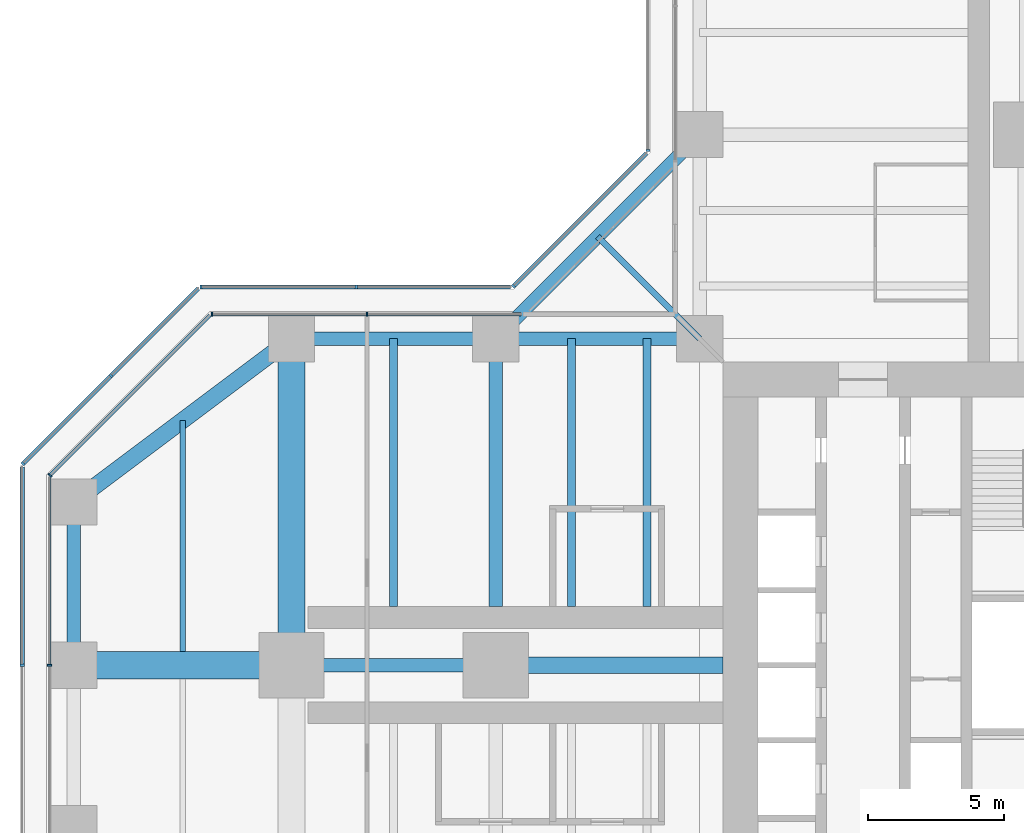
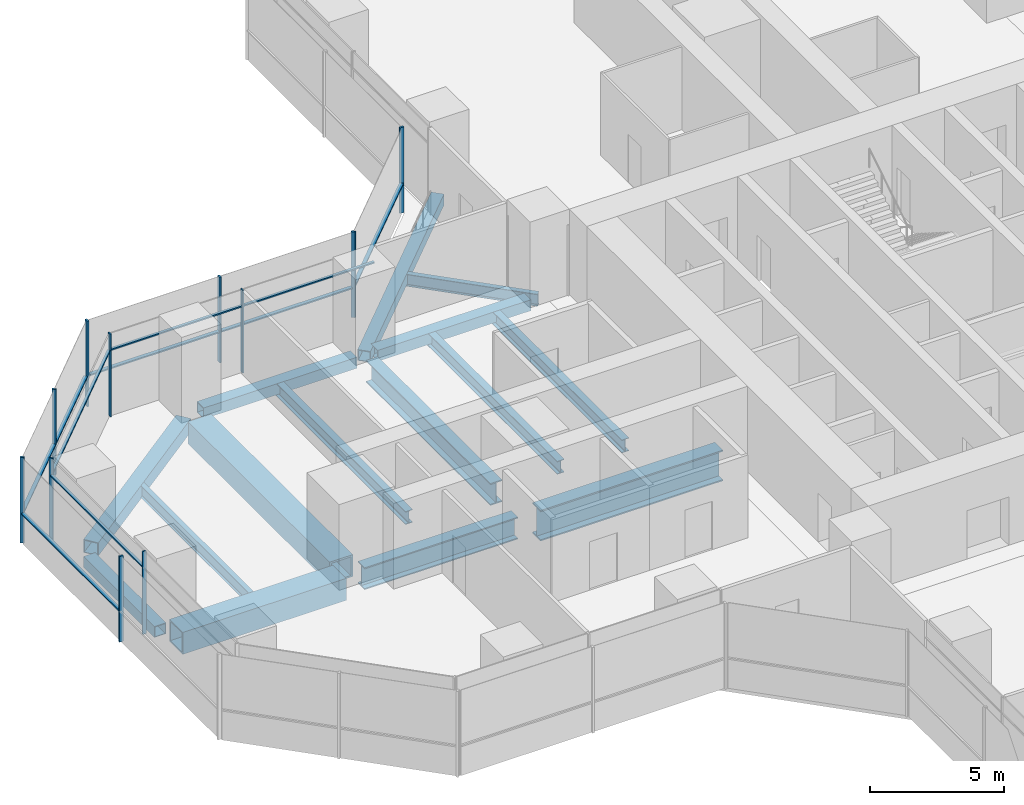
# One storey, part 8 of 22: 21 members, 15 beams, 8 elements without a shape of their own.
"""IFC4 building model written with IfcOpenShell, lengths in metres."""

from ifc_helpers import new_model, si_unit, direction, frame, origin, origin_2d, place, context, subcontext, project, spatial, rectangle, hollow_rectangle, i_section, extrude, material, material_profile, profile_set, type_object, element, aggregate, save


model = new_model("IFC4")

# Units and contexts
model_context = context("Model", 3, precision=1e-05, world=origin(), true_north=direction((0.0, 1.0)))
body_context = subcontext(model_context, "Body", "Model", "MODEL_VIEW")
ifc_project = project(units=[si_unit("LENGTHUNIT", "METRE"), si_unit("AREAUNIT", "SQUARE_METRE"), si_unit("VOLUMEUNIT", "CUBIC_METRE"), si_unit("PLANEANGLEUNIT", "RADIAN"), si_unit("MASSUNIT", "GRAM", prefix="KILO")], contexts=[model_context])

# Site, building, storey
site_placement = place(None, origin())
site = spatial("IfcSite", under=ifc_project, at=site_placement, CompositionType="ELEMENT")
building_placement = place(site_placement, origin())
building = spatial("IfcBuilding", under=site, at=building_placement, Name="Mizan Broadcast Tower", CompositionType="ELEMENT")
storey_placement = place(building_placement, frame((0.0, 0.0, 55.199951171875)))
storey = spatial("IfcBuildingStorey", under=building, at=storey_placement, Name="L10", CompositionType="ELEMENT", Elevation=55.199951171875)

# Beams
ifc_material_1 = material(Name="Steel S355", Category="steel")
ifc_material_profile_1 = material_profile(ifc_material_1, hollow_rectangle(XDim=0.5, YDim=0.5, WallThickness=0.030029296875, at=origin_2d()), Name="BOX 500x500x30")
ifc_profile_set_1 = profile_set([ifc_material_profile_1], Name="Steel S355")
beam_type_1 = type_object("IfcBeamType", Name="EDGE BEAM BOX 500x500x30", PredefinedType="SPANDREL", material=ifc_profile_set_1)
for number, where, z_axis, x_axis, name in (
    (1, (-12.449951171875, 12.0, -0.3798828125), (-1.0, 0.0, 0.0), (0.0, -1.0, 0.0), "Edge beam BOX 500x500x30 L10 west arm"),
    (2, (-19.949951171875, 12.0, -0.3798828125), (-1.0, 0.0, 0.0), (0.0, -1.0, 0.0), "Edge beam BOX 500x500x30 L10 west arm"),
):
    element("IfcBeam", number, at=place(storey_placement, frame(where, z_axis=z_axis, x_axis=x_axis)), inside=storey, type_object=beam_type_1, Name=name, PredefinedType="SPANDREL", context=body_context, shape_type="SweptSolid", body=[
        extrude(hollow_rectangle(XDim=0.5, YDim=0.5, WallThickness=0.030029296875, at=origin_2d()), origin(), (0.0, 0.0, 1.0), 6.60009765625),
    ])
beam_1_placement = place(storey_placement, frame((-35.0, 5.639892578125, -0.3798828125), z_axis=(0.0, -1.0, 0.0), x_axis=(1.0, 0.0, 0.0)))
element("IfcBeam", 3, at=beam_1_placement, inside=storey, type_object=beam_type_1, Name="Edge beam BOX 500x500x30 L10 west arm", PredefinedType="SPANDREL", context=body_context, shape_type="SweptSolid", body=[
    extrude(hollow_rectangle(XDim=0.5, YDim=0.5, WallThickness=0.030029296875, at=origin_2d()), origin(), (0.0, 0.0, 1.0), 5.27978515625),
])
beam_2_placement = place(storey_placement, frame((-12.0, 19.5, -0.3798828125), z_axis=(-0.707106781187, -0.707106781187, 0.0), x_axis=(0.707106781187, -0.707106781187, 0.0)))
element("IfcBeam", 4, at=beam_2_placement, inside=storey, type_object=beam_type_1, Name="Winter garden edge beam L10 N", PredefinedType="SPANDREL", context=body_context, shape_type="SweptSolid", body=[
    extrude(hollow_rectangle(XDim=0.5, YDim=0.5, WallThickness=0.030029296875, at=origin_2d()), origin(), (0.0, 0.0, 1.0), 10.606689453125),
])
ifc_material_2 = material(Name="Steel S355", Category="steel")
ifc_material_profile_2 = material_profile(ifc_material_2, hollow_rectangle(XDim=0.60009765625, YDim=0.60009765625, WallThickness=0.030029296875, at=origin_2d()), Name="BOX 600x600x30")
ifc_profile_set_2 = profile_set([ifc_material_profile_2], Name="Steel S355")
beam_type_2 = type_object("IfcBeamType", Name="EDGE BEAM BOX 600x600x30", PredefinedType="SPANDREL", material=ifc_profile_set_2)
beam_3_placement = place(storey_placement, frame((-27.47998046875, 11.639892578125, -0.429931640625), z_axis=(-0.800013316712, -0.599982243973, 0.0), x_axis=(0.599982243973, -0.800013316712, 0.0)))
element("IfcBeam", 5, at=beam_3_placement, inside=storey, type_object=beam_type_2, Name="Edge beam BOX 600x600x30 L10 west arm", PredefinedType="SPANDREL", context=body_context, shape_type="SweptSolid", body=[
    extrude(hollow_rectangle(XDim=0.60009765625, YDim=0.60009765625, WallThickness=0.030029296875, at=origin_2d()), origin(), (0.0, 0.0, 1.0), 8.7998046875),
])
ifc_material_3 = material(Name="Steel S460", Category="steel")
ifc_material_profile_3 = material_profile(ifc_material_3, hollow_rectangle(XDim=1.0, YDim=1.0, WallThickness=0.06005859375, at=origin_2d()), Name="BOX 1000x1000x60")
ifc_profile_set_3 = profile_set([ifc_material_profile_3], Name="Steel S460")
beam_type_3 = type_object("IfcBeamType", Name="GIRDER BOX 1000x1000x60", PredefinedType="BEAM", material=ifc_profile_set_3)
beam_4_placement = place(storey_placement, frame((-27.47998046875, 0.0, -0.6298828125), z_axis=(-1.0, 0.0, 0.0), x_axis=(0.0, -1.0, 0.0)))
element("IfcBeam", 6, at=beam_4_placement, inside=storey, type_object=beam_type_3, Name="Girder BOX 1000x1000x60 L10 west arm", PredefinedType="BEAM", context=body_context, shape_type="SweptSolid", body=[
    extrude(hollow_rectangle(XDim=1.0, YDim=1.0, WallThickness=0.06005859375, at=origin_2d()), origin(), (0.0, 0.0, 1.0), 7.0400390625),
])
ifc_material_4 = material(Name="Steel S460", Category="steel")
ifc_material_profile_4 = material_profile(ifc_material_4, hollow_rectangle(XDim=1.0, YDim=1.0, WallThickness=0.080078125, at=origin_2d()), Name="BOX 1000x1000x80")
ifc_profile_set_4 = profile_set([ifc_material_profile_4], Name="Steel S460")
beam_type_4 = type_object("IfcBeamType", Name="GIRDER BOX 1000x1000x80", PredefinedType="BEAM", material=ifc_profile_set_4)
beam_5_placement = place(storey_placement, frame((-27.0, 11.280029296875, -0.6298828125), z_axis=(0.0, -1.0, 0.0), x_axis=(1.0, 0.0, 0.0)))
element("IfcBeam", 7, at=beam_5_placement, inside=storey, type_object=beam_type_4, Name="Girder BOX 1000x1000x80 L10 west arm", PredefinedType="BEAM", context=body_context, shape_type="SweptSolid", body=[
    extrude(hollow_rectangle(XDim=1.0, YDim=1.0, WallThickness=0.080078125, at=origin_2d()), origin(), (0.0, 0.0, 1.0), 10.56005859375),
])
ifc_material_5 = material(Name="Steel S460", Category="steel")
ifc_material_profile_5 = material_profile(ifc_material_5, i_section(OverallWidth=0.5, OverallDepth=1.0, WebThickness=0.02490234375, FlangeThickness=0.050048828125, at=origin_2d()), Name="WPG 1000x500")
ifc_profile_set_5 = profile_set([ifc_material_profile_5], Name="Steel S460")
beam_type_5 = type_object("IfcBeamType", Name="GIRDER WPG 1000x500", PredefinedType="BEAM", material=ifc_profile_set_5)
beam_6_placement = place(storey_placement, frame((-19.949951171875, 0.0, -0.6298828125), z_axis=(-1.0, 0.0, 0.0), x_axis=(0.0, -1.0, 0.0)))
element("IfcBeam", 8, at=beam_6_placement, inside=storey, type_object=beam_type_5, Name="Girder WPG 1000x500 L10 west arm", PredefinedType="BEAM", context=body_context, shape_type="SweptSolid", body=[
    extrude(i_section(OverallWidth=0.5, OverallDepth=1.0, WebThickness=0.02490234375, FlangeThickness=0.050048828125, at=origin_2d()), origin(), (0.0, 0.0, 1.0), 6.60009765625),
])
beam_7_placement = place(storey_placement, frame((-19.5, 11.408935546875, -0.6298828125), z_axis=(0.0, -1.0, 0.0), x_axis=(1.0, 0.0, 0.0)))
element("IfcBeam", 9, at=beam_7_placement, inside=storey, type_object=beam_type_5, Name="Girder WPG 1000x500 L10 west arm", PredefinedType="BEAM", context=body_context, shape_type="SweptSolid", body=[
    extrude(i_section(OverallWidth=0.5, OverallDepth=1.0, WebThickness=0.02490234375, FlangeThickness=0.050048828125, at=origin_2d()), origin(), (0.0, 0.0, 1.0), 9.259033203125),
])
ifc_material_6 = material(Name="Steel S460", Category="steel")
ifc_material_profile_6 = material_profile(ifc_material_6, i_section(OverallWidth=0.60009765625, OverallDepth=1.39990234375, WebThickness=0.02490234375, FlangeThickness=0.06005859375, at=origin_2d()), Name="WPG 1400x600")
ifc_profile_set_6 = profile_set([ifc_material_profile_6], Name="Steel S460")
beam_type_6 = type_object("IfcBeamType", Name="GIRDER WPG 1400x600", PredefinedType="BEAM", material=ifc_profile_set_6)
beam_8_placement = place(storey_placement, frame((-11.14990234375, 0.0, -0.829833984375), z_axis=(-1.0, 0.0, 0.0), x_axis=(0.0, -1.0, 0.0)))
element("IfcBeam", 10, at=beam_8_placement, inside=storey, type_object=beam_type_6, Name="Girder WPG 1400x600 L10 west arm", PredefinedType="BEAM", context=body_context, shape_type="SweptSolid", body=[
    extrude(i_section(OverallWidth=0.60009765625, OverallDepth=1.39990234375, WebThickness=0.02490234375, FlangeThickness=0.06005859375, at=origin_2d()), origin(), (0.0, 0.0, 1.0), 7.84912109375),
])

# Curtain wall, members
ifc_material_7 = material(Name="Aluminium framed glazing", Category="aluminium")
curtain_wall_type_1 = type_object("IfcCurtainWallType", Name="INNER SKIN LOW ZONE", PredefinedType="USERDEFINED", material=ifc_material_7)
curtain_wall_1_placement = place(storey_placement, origin())
curtain_wall_1 = element("IfcCurtainWall", 11, at=curtain_wall_1_placement, inside=storey, type_object=curtain_wall_type_1, Name="Inner skin low zone L10 W side", ObjectType="INNER SKIN LOW ZONE", PredefinedType="USERDEFINED")
ifc_material_8 = material(Name="Aluminium, pale anodised", Category="aluminium")
ifc_material_profile_7 = material_profile(ifc_material_8, rectangle(XDim=0.159912109375, YDim=0.06005859375, at=origin_2d()), Name="MULLION 160x60")
ifc_profile_set_7 = profile_set([ifc_material_profile_7], Name="Aluminium, pale anodised")
member_type_1 = type_object("IfcMemberType", Name="INNER SKIN MULLION 60x160", PredefinedType="MULLION", material=ifc_profile_set_7)
member_1_placement = place(storey_placement, frame((-24.229248046875, 12.89990234375, 0.0), z_axis=(0.0, 0.0, 1.0), x_axis=(0.0, -1.0, 0.0)))
member_1 = element("IfcMember", 12, at=member_1_placement, type_object=member_type_1, Name="Inner skin low zone L10 W side mullion 2", PredefinedType="MULLION", context=body_context, shape_type="SweptSolid", body=[
    extrude(rectangle(XDim=0.159912109375, YDim=0.06005859375, at=origin_2d()), origin(), (0.0, 0.0, 1.0), 3.77001953125),
])
member_2_placement = place(storey_placement, frame((-29.928466796875, 12.89990234375, 0.0), z_axis=(0.0, 0.0, 1.0), x_axis=(0.0, -1.0, 0.0)))
member_2 = element("IfcMember", 13, at=member_2_placement, type_object=member_type_1, Name="Inner skin low zone L10 W side mullion 3", PredefinedType="MULLION", context=body_context, shape_type="SweptSolid", body=[
    extrude(rectangle(XDim=0.159912109375, YDim=0.06005859375, at=origin_2d()), origin(), (0.0, 0.0, 1.0), 3.77001953125),
])

# Curtain wall, member
curtain_wall_2_placement = place(storey_placement, origin())
curtain_wall_2 = element("IfcCurtainWall", 14, at=curtain_wall_2_placement, inside=storey, type_object=curtain_wall_type_1, Name="Inner skin low zone L10 W chamfer", ObjectType="INNER SKIN LOW ZONE", PredefinedType="USERDEFINED")
member_3_placement = place(storey_placement, frame((-35.87890625, 6.979736328125, 0.0), z_axis=(0.0, 0.0, 1.0), x_axis=(0.707106781187, -0.707106781187, 0.0)))
member_3 = element("IfcMember", 15, at=member_3_placement, type_object=member_type_1, Name="Inner skin low zone L10 W chamfer mullion 2", PredefinedType="MULLION", context=body_context, shape_type="SweptSolid", body=[
    extrude(rectangle(XDim=0.159912109375, YDim=0.06005859375, at=origin_2d()), origin(), (0.0, 0.0, 1.0), 3.77001953125),
])

curtain_wall_3_placement = place(storey_placement, origin())
curtain_wall_3 = element("IfcCurtainWall", 16, at=curtain_wall_3_placement, inside=storey, type_object=curtain_wall_type_1, Name="Inner skin low zone L10 W end", ObjectType="INNER SKIN LOW ZONE", PredefinedType="USERDEFINED")
member_4_placement = place(storey_placement, frame((-35.89990234375, 0.0, 0.0), z_axis=(0.0, 0.0, 1.0), x_axis=(1.0, 0.0, 0.0)))
member_4 = element("IfcMember", 17, at=member_4_placement, type_object=member_type_1, Name="Inner skin low zone L10 W end mullion 2", PredefinedType="MULLION", context=body_context, shape_type="SweptSolid", body=[
    extrude(rectangle(XDim=0.159912109375, YDim=0.06005859375, at=origin_2d()), origin(), (0.0, 0.0, 1.0), 3.77001953125),
])

# Member
ifc_material_9 = material(Name="Aluminium, pale anodised", Category="aluminium")
ifc_material_profile_8 = material_profile(ifc_material_9, rectangle(XDim=0.1201171875, YDim=0.06005859375, at=origin_2d()), Name="TRANSOM 120x60")
ifc_profile_set_8 = profile_set([ifc_material_profile_8], Name="Aluminium, pale anodised")
member_type_2 = type_object("IfcMemberType", Name="INNER SKIN TRANSOM 60x120", PredefinedType="USERDEFINED", material=ifc_profile_set_8)
member_5_placement = place(storey_placement, frame((-18.56005859375, 12.89990234375, 3.030029296875), z_axis=(-1.0, 0.0, 0.0), x_axis=(0.0, -1.0, 0.0)))
member_5 = element("IfcMember", 18, at=member_5_placement, type_object=member_type_2, Name="Inner skin low zone L10 W side transom 1.1", ObjectType="TRANSOM", PredefinedType="USERDEFINED", context=body_context, shape_type="SweptSolid", body=[
    extrude(rectangle(XDim=0.1201171875, YDim=0.06005859375, at=origin_2d()), origin(), (0.0, 0.0, 1.0), 5.63916015625),
])

member_6_placement = place(storey_placement, frame((-24.25927734375, 12.89990234375, 3.030029296875), z_axis=(-1.0, 0.0, 0.0), x_axis=(0.0, -1.0, 0.0)))
member_6 = element("IfcMember", 19, at=member_6_placement, type_object=member_type_2, Name="Inner skin low zone L10 W side transom 2.1", ObjectType="TRANSOM", PredefinedType="USERDEFINED", context=body_context, shape_type="SweptSolid", body=[
    extrude(rectangle(XDim=0.1201171875, YDim=0.06005859375, at=origin_2d()), origin(), (0.0, 0.0, 1.0), 5.639404296875),
])

aggregate(curtain_wall_1, [member_1, member_2, member_5, member_6])

member_7_placement = place(storey_placement, frame((-30.0009765625, 12.857666015625, 3.030029296875), z_axis=(-0.707106781187, -0.707106781187, 0.0), x_axis=(0.707106781187, -0.707106781187, 0.0)))
member_7 = element("IfcMember", 20, at=member_7_placement, type_object=member_type_2, Name="Inner skin low zone L10 W chamfer transom 1.1", ObjectType="TRANSOM", PredefinedType="USERDEFINED", context=body_context, shape_type="SweptSolid", body=[
    extrude(rectangle(XDim=0.1201171875, YDim=0.06005859375, at=origin_2d()), origin(), (0.0, 0.0, 1.0), 8.28271484375),
])

aggregate(curtain_wall_2, [member_3, member_7])

member_8_placement = place(storey_placement, frame((-35.89990234375, 6.898681640625, 3.030029296875), z_axis=(0.0, -1.0, 0.0), x_axis=(1.0, 0.0, 0.0)))
member_8 = element("IfcMember", 21, at=member_8_placement, type_object=member_type_2, Name="Inner skin low zone L10 W end transom 1.1", ObjectType="TRANSOM", PredefinedType="USERDEFINED", context=body_context, shape_type="SweptSolid", body=[
    extrude(rectangle(XDim=0.1201171875, YDim=0.06005859375, at=origin_2d()), origin(), (0.0, 0.0, 1.0), 6.86865234375),
])

aggregate(curtain_wall_3, [member_4, member_8])

# Curtain wall, member
ifc_material_10 = material(Name="Aluminium framed glazing", Category="aluminium")
curtain_wall_type_2 = type_object("IfcCurtainWallType", Name="OUTER SKIN", PredefinedType="USERDEFINED", material=ifc_material_10)
curtain_wall_4_placement = place(storey_placement, origin())
curtain_wall_4 = element("IfcCurtainWall", 22, at=curtain_wall_4_placement, inside=storey, type_object=curtain_wall_type_2, Name="Outer skin L10 N side", ObjectType="OUTER SKIN", PredefinedType="USERDEFINED")
ifc_material_11 = material(Name="Aluminium, pale anodised", Category="aluminium")
ifc_material_profile_9 = material_profile(ifc_material_11, rectangle(XDim=0.159912109375, YDim=0.080078125, at=origin_2d()), Name="MULLION 160x80")
ifc_profile_set_9 = profile_set([ifc_material_profile_9], Name="Aluminium, pale anodised")
member_type_3 = type_object("IfcMemberType", Name="OUTER SKIN MULLION 80x160", PredefinedType="MULLION", material=ifc_profile_set_9)
member_9_placement = place(storey_placement, frame((-13.89990234375, 18.912841796875, 0.0), z_axis=(0.0, 0.0, 1.0), x_axis=(1.0, 0.0, 0.0)))
member_9 = element("IfcMember", 23, at=member_9_placement, type_object=member_type_3, Name="Outer skin L10 N side mullion 3", PredefinedType="MULLION", context=body_context, shape_type="SweptSolid", body=[
    extrude(rectangle(XDim=0.159912109375, YDim=0.080078125, at=origin_2d()), origin(), (0.0, 0.0, 1.0), 3.900146484375),
])
aggregate(curtain_wall_4, [member_9])

curtain_wall_5_placement = place(storey_placement, origin())
curtain_wall_5 = element("IfcCurtainWall", 24, at=curtain_wall_5_placement, inside=storey, type_object=curtain_wall_type_2, Name="Outer skin L10 W chamfer", ObjectType="OUTER SKIN", PredefinedType="USERDEFINED")
member_10_placement = place(storey_placement, frame((-18.844482421875, 13.92822265625, 0.0), z_axis=(0.0, 0.0, 1.0), x_axis=(0.707106781187, -0.707106781187, 0.0)))
member_10 = element("IfcMember", 25, at=member_10_placement, type_object=member_type_3, Name="Outer skin L10 W chamfer mullion 2", PredefinedType="MULLION", context=body_context, shape_type="SweptSolid", body=[
    extrude(rectangle(XDim=0.159912109375, YDim=0.080078125, at=origin_2d()), origin(), (0.0, 0.0, 1.0), 3.900146484375),
])

# Curtain wall, members
curtain_wall_6_placement = place(storey_placement, origin())
curtain_wall_6 = element("IfcCurtainWall", 26, at=curtain_wall_6_placement, inside=storey, type_object=curtain_wall_type_2, Name="Outer skin L10 W side", ObjectType="OUTER SKIN", PredefinedType="USERDEFINED")
member_11_placement = place(storey_placement, frame((-24.622802734375, 13.89990234375, 0.0), z_axis=(0.0, 0.0, 1.0), x_axis=(0.0, -1.0, 0.0)))
member_11 = element("IfcMember", 27, at=member_11_placement, type_object=member_type_3, Name="Outer skin L10 W side mullion 2", PredefinedType="MULLION", context=body_context, shape_type="SweptSolid", body=[
    extrude(rectangle(XDim=0.159912109375, YDim=0.080078125, at=origin_2d()), origin(), (0.0, 0.0, 1.0), 3.900146484375),
])
member_12_placement = place(storey_placement, frame((-30.332763671875, 13.89990234375, 0.0), z_axis=(0.0, 0.0, 1.0), x_axis=(0.0, -1.0, 0.0)))
member_12 = element("IfcMember", 28, at=member_12_placement, type_object=member_type_3, Name="Outer skin L10 W side mullion 3", PredefinedType="MULLION", context=body_context, shape_type="SweptSolid", body=[
    extrude(rectangle(XDim=0.159912109375, YDim=0.080078125, at=origin_2d()), origin(), (0.0, 0.0, 1.0), 3.900146484375),
])

curtain_wall_7_placement = place(storey_placement, origin())
curtain_wall_7 = element("IfcCurtainWall", 29, at=curtain_wall_7_placement, inside=storey, type_object=curtain_wall_type_2, Name="Outer skin L10 W chamfer", ObjectType="OUTER SKIN", PredefinedType="USERDEFINED")
member_13_placement = place(storey_placement, frame((-33.636474609375, 10.636474609375, 0.0), z_axis=(0.0, 0.0, 1.0), x_axis=(0.707106781187, -0.707106781187, 0.0)))
member_13 = element("IfcMember", 30, at=member_13_placement, type_object=member_type_3, Name="Outer skin L10 W chamfer mullion 2", PredefinedType="MULLION", context=body_context, shape_type="SweptSolid", body=[
    extrude(rectangle(XDim=0.159912109375, YDim=0.080078125, at=origin_2d()), origin(), (0.0, 0.0, 1.0), 3.900146484375),
])
member_14_placement = place(storey_placement, frame((-36.871826171875, 7.401123046875, 0.0), z_axis=(0.0, 0.0, 1.0), x_axis=(0.707106781187, -0.707106781187, 0.0)))
member_14 = element("IfcMember", 31, at=member_14_placement, type_object=member_type_3, Name="Outer skin L10 W chamfer mullion 3", PredefinedType="MULLION", context=body_context, shape_type="SweptSolid", body=[
    extrude(rectangle(XDim=0.159912109375, YDim=0.080078125, at=origin_2d()), origin(), (0.0, 0.0, 1.0), 3.900146484375),
])

# Curtain wall, member
curtain_wall_8_placement = place(storey_placement, origin())
curtain_wall_8 = element("IfcCurtainWall", 32, at=curtain_wall_8_placement, inside=storey, type_object=curtain_wall_type_2, Name="Outer skin L10 W end", ObjectType="OUTER SKIN", PredefinedType="USERDEFINED")
member_15_placement = place(storey_placement, frame((-36.89990234375, 0.0, 0.0), z_axis=(0.0, 0.0, 1.0), x_axis=(1.0, 0.0, 0.0)))
member_15 = element("IfcMember", 33, at=member_15_placement, type_object=member_type_3, Name="Outer skin L10 W end mullion 2", PredefinedType="MULLION", context=body_context, shape_type="SweptSolid", body=[
    extrude(rectangle(XDim=0.159912109375, YDim=0.080078125, at=origin_2d()), origin(), (0.0, 0.0, 1.0), 3.900146484375),
])

# Member
ifc_material_12 = material(Name="Aluminium, pale anodised", Category="aluminium")
ifc_material_profile_10 = material_profile(ifc_material_12, rectangle(XDim=0.159912109375, YDim=0.06005859375, at=origin_2d()), Name="TRANSOM 160x60")
ifc_profile_set_10 = profile_set([ifc_material_profile_10], Name="Aluminium, pale anodised")
member_type_4 = type_object("IfcMemberType", Name="OUTER SKIN TRANSOM 60x160", PredefinedType="USERDEFINED", material=ifc_profile_set_10)
member_16_placement = place(storey_placement, frame((-13.95654296875, 18.816162109375, 1.400146484375), z_axis=(-0.707106781187, -0.707106781187, 0.0), x_axis=(0.707106781187, -0.707106781187, 0.0)))
member_16 = element("IfcMember", 34, at=member_16_placement, type_object=member_type_4, Name="Outer skin L10 W chamfer transom 1.1", ObjectType="TRANSOM", PredefinedType="USERDEFINED", context=body_context, shape_type="SweptSolid", body=[
    extrude(rectangle(XDim=0.159912109375, YDim=0.06005859375, at=origin_2d()), origin(), (0.0, 0.0, 1.0), 6.87255859375),
])

aggregate(curtain_wall_5, [member_10, member_16])

member_17_placement = place(storey_placement, frame((-18.952880859375, 13.89990234375, 1.400146484375), z_axis=(-1.0, 0.0, 0.0), x_axis=(0.0, -1.0, 0.0)))
member_17 = element("IfcMember", 35, at=member_17_placement, type_object=member_type_4, Name="Outer skin L10 W side transom 1.1", ObjectType="TRANSOM", PredefinedType="USERDEFINED", context=body_context, shape_type="SweptSolid", body=[
    extrude(rectangle(XDim=0.159912109375, YDim=0.06005859375, at=origin_2d()), origin(), (0.0, 0.0, 1.0), 5.6298828125),
])

member_18_placement = place(storey_placement, frame((-24.662841796875, 13.89990234375, 1.400146484375), z_axis=(-1.0, 0.0, 0.0), x_axis=(0.0, -1.0, 0.0)))
member_18 = element("IfcMember", 36, at=member_18_placement, type_object=member_type_4, Name="Outer skin L10 W side transom 2.1", ObjectType="TRANSOM", PredefinedType="USERDEFINED", context=body_context, shape_type="SweptSolid", body=[
    extrude(rectangle(XDim=0.159912109375, YDim=0.06005859375, at=origin_2d()), origin(), (0.0, 0.0, 1.0), 5.6298828125),
])

aggregate(curtain_wall_6, [member_11, member_12, member_17, member_18])

member_19_placement = place(storey_placement, frame((-30.429443359375, 13.843505859375, 1.400146484375), z_axis=(-0.707106781187, -0.707106781187, 0.0), x_axis=(0.707106781187, -0.707106781187, 0.0)))
member_19 = element("IfcMember", 37, at=member_19_placement, type_object=member_type_4, Name="Outer skin L10 W chamfer transom 1.1", ObjectType="TRANSOM", PredefinedType="USERDEFINED", context=body_context, shape_type="SweptSolid", body=[
    extrude(rectangle(XDim=0.159912109375, YDim=0.06005859375, at=origin_2d()), origin(), (0.0, 0.0, 1.0), 4.495361328125),
])

member_20_placement = place(storey_placement, frame((-33.664794921875, 10.608154296875, 1.400146484375), z_axis=(-0.707106781187, -0.707106781187, 0.0), x_axis=(0.707106781187, -0.707106781187, 0.0)))
member_20 = element("IfcMember", 38, at=member_20_placement, type_object=member_type_4, Name="Outer skin L10 W chamfer transom 2.1", ObjectType="TRANSOM", PredefinedType="USERDEFINED", context=body_context, shape_type="SweptSolid", body=[
    extrude(rectangle(XDim=0.159912109375, YDim=0.06005859375, at=origin_2d()), origin(), (0.0, 0.0, 1.0), 4.495361328125),
])

aggregate(curtain_wall_7, [member_13, member_14, member_19, member_20])

member_21_placement = place(storey_placement, frame((-36.89990234375, 7.292724609375, 1.400146484375), z_axis=(0.0, -1.0, 0.0), x_axis=(1.0, 0.0, 0.0)))
member_21 = element("IfcMember", 39, at=member_21_placement, type_object=member_type_4, Name="Outer skin L10 W end transom 1.1", ObjectType="TRANSOM", PredefinedType="USERDEFINED", context=body_context, shape_type="SweptSolid", body=[
    extrude(rectangle(XDim=0.159912109375, YDim=0.06005859375, at=origin_2d()), origin(), (0.0, 0.0, 1.0), 7.252685546875),
])

aggregate(curtain_wall_8, [member_15, member_21])

# Beams
ifc_material_13 = material(Name="Steel S355", Category="steel")
ifc_material_profile_11 = material_profile(ifc_material_13, i_section(OverallWidth=0.300048828125, OverallDepth=0.590087890625, WebThickness=0.012939453125, FlangeThickness=0.02490234375, FilletRadius=0.027099609375, at=origin_2d()), Name="HEA 600")
ifc_profile_set_11 = profile_set([ifc_material_profile_11], Name="Steel S355")
beam_type_7 = type_object("IfcBeamType", Name="SECONDARY BEAM HEA 600", PredefinedType="JOIST", material=ifc_profile_set_11)
for number, where, z_axis, x_axis, name in (
    (40, (-13.933349609375, 12.0, -0.425048828125), (0.0, -1.0, 0.0), (1.0, 0.0, 0.0), "Secondary beam HEA 600 L10 west arm"),
    (41, (-16.716552734375, 12.0, -0.425048828125), (0.0, -1.0, 0.0), (1.0, 0.0, 0.0), "Secondary beam HEA 600 L10 west arm"),
    (42, (-23.25, 12.0, -0.425048828125), (0.0, -1.0, 0.0), (1.0, 0.0, 0.0), "Secondary beam HEA 600 L10 west arm"),
):
    element("IfcBeam", number, at=place(storey_placement, frame(where, z_axis=z_axis, x_axis=x_axis)), inside=storey, type_object=beam_type_7, Name=name, PredefinedType="JOIST", context=body_context, shape_type="SweptSolid", body=[
        extrude(i_section(OverallWidth=0.300048828125, OverallDepth=0.590087890625, WebThickness=0.012939453125, FlangeThickness=0.02490234375, FilletRadius=0.027099609375, at=origin_2d()), origin(), (0.0, 0.0, 1.0), 9.85009765625),
    ])
ifc_material_14 = material(Name="Steel S355", Category="steel")
ifc_material_profile_12 = material_profile(ifc_material_14, i_section(OverallWidth=0.2099609375, OverallDepth=0.550048828125, WebThickness=0.010986328125, FlangeThickness=0.01708984375, FilletRadius=0.02392578125, at=origin_2d()), Name="IPE 550")
ifc_profile_set_12 = profile_set([ifc_material_profile_12], Name="Steel S355")
beam_type_8 = type_object("IfcBeamType", Name="SECONDARY BEAM IPE 550", PredefinedType="JOIST", material=ifc_profile_set_12)
beam_9_placement = place(storey_placement, frame((-31.0, 9.0, -0.405029296875), z_axis=(0.0, -1.0, 0.0), x_axis=(1.0, 0.0, 0.0)))
element("IfcBeam", 43, at=beam_9_placement, inside=storey, type_object=beam_type_8, Name="Secondary beam IPE 550 L10 west arm", PredefinedType="JOIST", context=body_context, shape_type="SweptSolid", body=[
    extrude(i_section(OverallWidth=0.2099609375, OverallDepth=0.550048828125, WebThickness=0.010986328125, FlangeThickness=0.01708984375, FilletRadius=0.02392578125, at=origin_2d()), origin(), (0.0, 0.0, 1.0), 8.5),
])
beam_10_placement = place(storey_placement, frame((-12.0, 12.0, -0.405029296875), z_axis=(-0.707106781187, 0.707106781187, 0.0), x_axis=(-0.707106781187, -0.707106781187, 0.0)))
element("IfcBeam", 44, at=beam_10_placement, inside=storey, type_object=beam_type_8, Name="Winter garden beam L10 N", PredefinedType="JOIST", context=body_context, shape_type="SweptSolid", body=[
    extrude(i_section(OverallWidth=0.2099609375, OverallDepth=0.550048828125, WebThickness=0.010986328125, FlangeThickness=0.01708984375, FilletRadius=0.02392578125, at=origin_2d()), origin(), (0.0, 0.0, 1.0), 5.30322265625),
])

save(model, "model.ifc")
